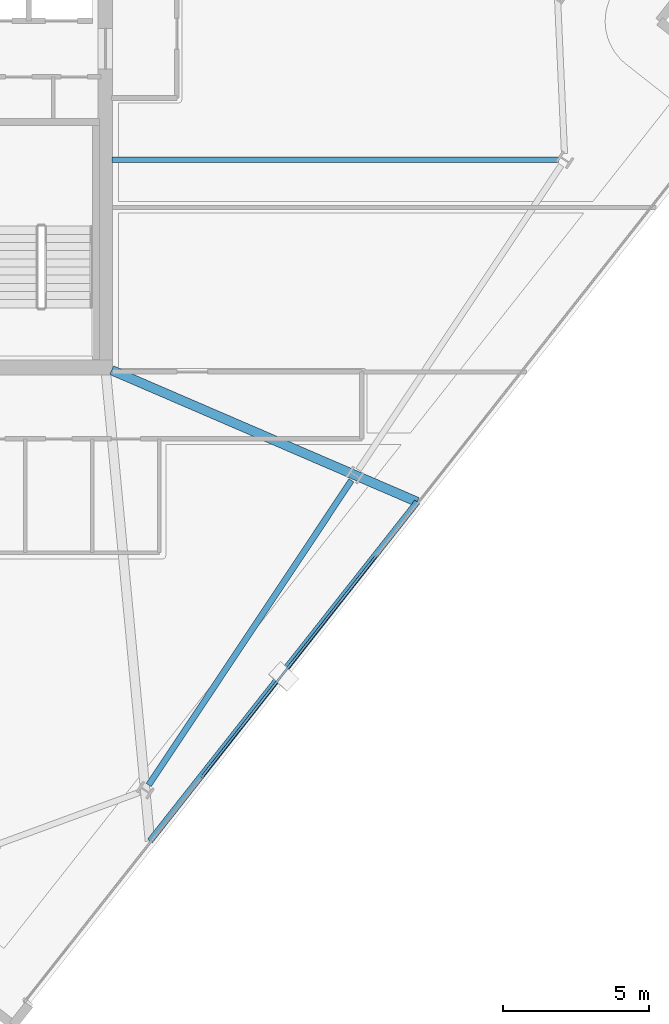
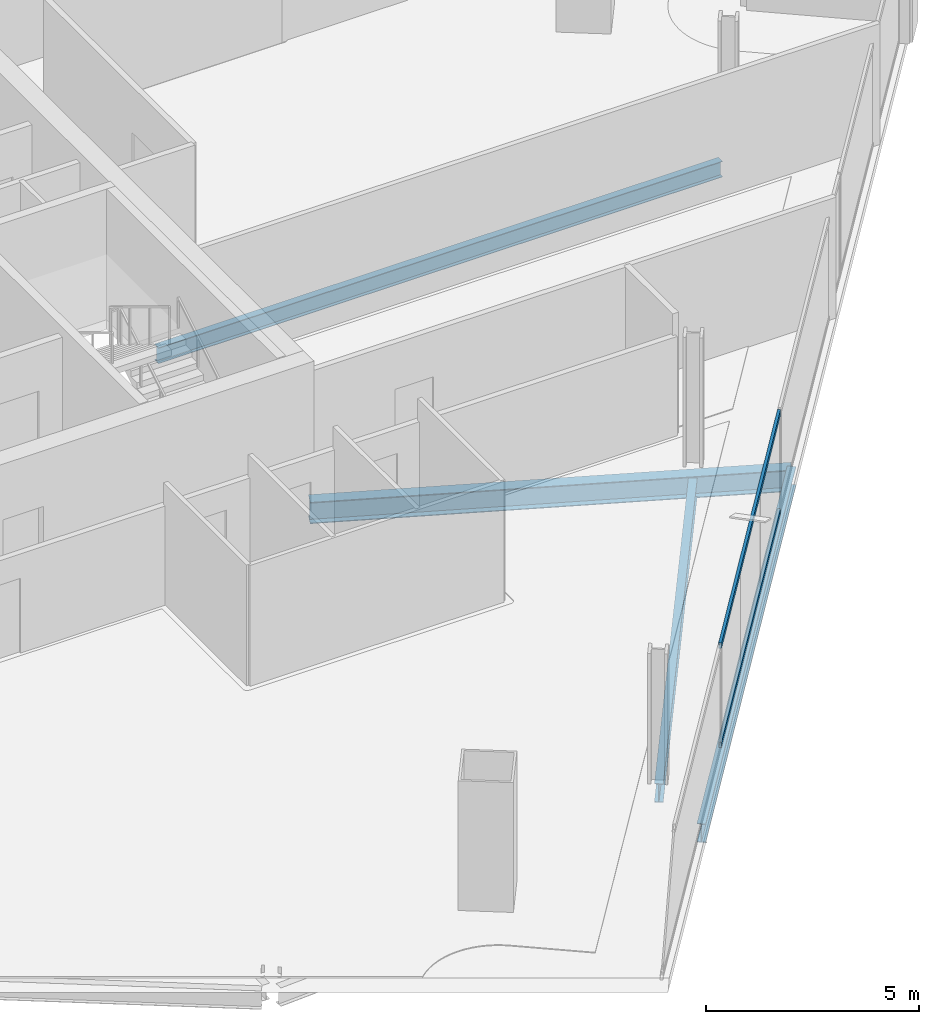
# One storey, part 10 of 28: 4 beams, 2 members, 1 element without a shape of its own.
"""IFC4 building model written with IfcOpenShell, lengths in metres."""

import ifcopenshell
import ifcopenshell.guid

model = None  # the IFC model being written
_history = None  # IfcOwnerHistory: only IFC2X3 demands one
_inside = {}  # id of a spatial element -> (the spatial element, [elements in it])
_under = {}  # id of a project, library or spatial element -> (it, [spatial elements below it])
_declared = {}  # id of a project -> (the project, [libraries it declares])
_typed = {}  # id of a type object -> (the type object, [elements of that type])
_made_of = {}  # id of a material, layer set ... -> (it, [elements and type objects made of it])


def new_model(schema):
    """Start an empty IFC model of exactly this schema.

    Asked for "IFC4X3", IfcOpenShell would pick the latest addendum, in which some entities
    have other attributes; the version numbers below select the first issue.
    IFC2X3 requires an IfcOwnerHistory on every rooted entity: one is made here for all.
    """
    global model, _history
    if schema == "IFC4X3":
        model = ifcopenshell.file(schema_version=(4, 3, 0, 0))
    else:
        model = ifcopenshell.file(schema=schema)
    _inside.clear()
    _under.clear()
    _declared.clear()
    _typed.clear()
    _made_of.clear()
    _history = None
    if model.schema == "IFC2X3":
        org = make("IfcOrganization", Name="unknown")
        user = make(
            "IfcPersonAndOrganization",
            ThePerson=make("IfcPerson", FamilyName="unknown"),
            TheOrganization=org,
        )
        app = make(
            "IfcApplication",
            ApplicationDeveloper=org,
            Version="unknown",
            ApplicationFullName="unknown",
            ApplicationIdentifier="unknown",
        )
        _history = make(
            "IfcOwnerHistory",
            OwningUser=user,
            OwningApplication=app,
            ChangeAction="ADDED",
            CreationDate=0,
        )
    return model


def make(cls, **values):
    """One entity of the class cls with the attributes given. An attribute that is None is left unset."""
    return model.create_entity(
        cls, **{name: value for name, value in values.items() if value is not None}
    )


def rooted(cls, **values):
    """An entity with a GlobalId (a new one), such as an element, a storey or a relation."""
    return make(cls, GlobalId=ifcopenshell.guid.new(), OwnerHistory=_history, **values)


def si_unit(unit_type, name, prefix=None):
    """IfcSIUnit, for example si_unit("LENGTHUNIT", "METRE", prefix="MILLI")."""
    return make("IfcSIUnit", UnitType=unit_type, Prefix=prefix, Name=name)


def assignment(units):
    """IfcUnitAssignment: the units of a project."""
    return None if units is None else make("IfcUnitAssignment", Units=units)


def point(xyz):
    """IfcCartesianPoint."""
    return None if xyz is None else make("IfcCartesianPoint", Coordinates=xyz)


def direction(xyz):
    """IfcDirection."""
    return None if xyz is None else make("IfcDirection", DirectionRatios=xyz)


def frame(location, z_axis=None, x_axis=None):
    """IfcAxis2Placement3D, a coordinate frame: its origin and axes. An axis left out is left unset."""
    return make(
        "IfcAxis2Placement3D",
        Location=point(location),
        Axis=direction(z_axis),
        RefDirection=direction(x_axis),
    )


def frame_2d(location, x_axis=None):
    """IfcAxis2Placement2D, a coordinate frame in the plane: its origin and x axis."""
    return make(
        "IfcAxis2Placement2D", Location=point(location), RefDirection=direction(x_axis)
    )


def origin():
    """The frame at (0, 0, 0) with its axes left unset."""
    return frame((0.0, 0.0, 0.0))


def origin_2d():
    """The frame at (0, 0) in the plane with its x axis left unset."""
    return frame_2d((0.0, 0.0))


def place(relative_to, where):
    """IfcLocalPlacement: puts the frame where relative to a parent placement (None: the world)."""
    return make(
        "IfcLocalPlacement", PlacementRelTo=relative_to, RelativePlacement=where
    )


def context(
    kind, dimensions, precision=None, world=None, true_north=None, identifier=None
):
    """IfcGeometricRepresentationContext, for example the 3D "Model" context."""
    return make(
        "IfcGeometricRepresentationContext",
        ContextIdentifier=identifier,
        ContextType=kind,
        CoordinateSpaceDimension=dimensions,
        Precision=precision,
        WorldCoordinateSystem=world,
        TrueNorth=true_north,
    )


def subcontext(parent, identifier, kind, view, scale=None):
    """IfcGeometricRepresentationSubContext, for example "Body" below "Model"."""
    return make(
        "IfcGeometricRepresentationSubContext",
        ContextIdentifier=identifier,
        ContextType=kind,
        ParentContext=parent,
        TargetScale=scale,
        TargetView=view,
    )


def project(units=None, contexts=None):
    """IfcProject with its units and contexts."""
    return rooted(
        "IfcProject",
        Name="project",
        RepresentationContexts=contexts,
        UnitsInContext=assignment(units),
    )


def spatial(cls, under=None, at=None, **own):
    """A site, building, storey or space (cls), placed at a placement, below another one or the project."""
    s = rooted(cls, ObjectPlacement=at, **own)
    if under is not None:
        _under.setdefault(under.id(), (under, []))[1].append(s)
    return s


def profile(cls, at=None, kind="AREA", **sizes):
    """A parametric profile (cls). Its sizes go by their IFC names, for example OverallWidth=200.0."""
    return make(cls, ProfileType=kind, Position=at, **sizes)


def hollow_rectangle(**sizes):
    """IfcRectangleHollowProfileDef."""
    return profile("IfcRectangleHollowProfileDef", **sizes)


def i_section(**sizes):
    """IfcIShapeProfileDef."""
    return profile("IfcIShapeProfileDef", **sizes)


def extrude(swept, where, along, depth):
    """IfcExtrudedAreaSolid: the profile swept, set in the frame where, extruded along a direction by depth."""
    return make(
        "IfcExtrudedAreaSolid",
        SweptArea=swept,
        Position=where,
        ExtrudedDirection=direction(along),
        Depth=depth,
    )


def shape(context_of_items, identifier, shape_type, items):
    """IfcShapeRepresentation: the items that make up one representation, for example the "Body"."""
    return make(
        "IfcShapeRepresentation",
        ContextOfItems=context_of_items,
        RepresentationIdentifier=identifier,
        RepresentationType=shape_type,
        Items=items,
    )


def material(Name=None, Category=None):
    """IfcMaterial."""
    return make("IfcMaterial", Name=Name, Category=Category)


def material_profile(
    of_material, cross_section, Name=None, Category=None, Priority=None
):
    """IfcMaterialProfile: a cross section and its material."""
    return make(
        "IfcMaterialProfile",
        Name=Name,
        Material=of_material,
        Profile=cross_section,
        Priority=Priority,
        Category=Category,
    )


def profile_set(profiles, Name=None, composite=None):
    """IfcMaterialProfileSet."""
    return make(
        "IfcMaterialProfileSet",
        Name=Name,
        MaterialProfiles=profiles,
        CompositeProfile=composite,
    )


def made_of(thing, what):
    """Note that an element or type object is made of a material, layer set ...; save() writes the relation."""
    if what is not None:
        _made_of.setdefault(what.id(), (what, []))[1].append(thing)
    return thing


def type_object(cls, material=None, **own):
    """A type object (cls), such as IfcWallType, which elements share."""
    return made_of(rooted(cls, **own), material)


def element(
    cls,
    number,
    at=None,
    inside=None,
    cuts=None,
    type_object=None,
    material=None,
    context=None,
    identifier="Body",
    shape_type=None,
    held_by="IfcProductDefinitionShape",
    body=None,
    shapes=None,
    **own,
):
    """One element of the class cls, such as IfcWall. Its Tag is "e" and its number.

    at: its placement. inside: the storey or other place that contains it. cuts: it is an
    opening in that element (IfcRelVoidsElement). A single representation is given by context,
    identifier, shape_type and body (its items); several are given by shapes. held_by: the class
    of the entity that holds the representations. save() writes the other relations.
    """
    e = rooted(cls, Tag="e%d" % number, ObjectPlacement=at, **own)
    if body is not None:
        shapes = [shape(context, identifier, shape_type, body)]
    if shapes is not None:
        e.Representation = make(held_by, Representations=shapes)
    if inside is not None:
        _inside.setdefault(inside.id(), (inside, []))[1].append(e)
    if cuts is not None:
        rooted(
            "IfcRelVoidsElement", RelatingBuildingElement=cuts, RelatedOpeningElement=e
        )
    if type_object is not None:
        _typed.setdefault(type_object.id(), (type_object, []))[1].append(e)
    return made_of(e, material)


def aggregate(whole, parts):
    """IfcRelAggregates: a whole, such as a stair, and the parts it consists of."""
    return rooted("IfcRelAggregates", RelatingObject=whole, RelatedObjects=parts)


def save(model, path):
    """Write the relations noted so far, then the file.

    IfcRelAggregates (storeys below a building ...), IfcRelContainedInSpatialStructure (elements
    in a storey), IfcRelDefinesByType, IfcRelAssociatesMaterial and IfcRelDeclares: one each for
    every whole, place, type object, material and project.
    """
    for whole, parts in _under.values():
        aggregate(whole, parts)
    for where, things in _inside.values():
        rooted(
            "IfcRelContainedInSpatialStructure",
            RelatedElements=things,
            RelatingStructure=where,
        )
    for kind, things in _typed.values():
        rooted("IfcRelDefinesByType", RelatedObjects=things, RelatingType=kind)
    for what, things in _made_of.values():
        rooted("IfcRelAssociatesMaterial", RelatedObjects=things, RelatingMaterial=what)
    for by, libraries in _declared.values():
        rooted("IfcRelDeclares", RelatingContext=by, RelatedDefinitions=libraries)
    model.write(path)


model = new_model("IFC4")

# Units and contexts
model_context = context("Model", 3, precision=1e-05, world=origin(), true_north=direction((0.0, 1.0)))
body_context = subcontext(model_context, "Body", "Model", "MODEL_VIEW")
ifc_project = project(units=[si_unit("LENGTHUNIT", "METRE"), si_unit("AREAUNIT", "SQUARE_METRE"), si_unit("VOLUMEUNIT", "CUBIC_METRE"), si_unit("PLANEANGLEUNIT", "RADIAN"), si_unit("MASSUNIT", "GRAM", prefix="KILO")], contexts=[model_context])

# Site, building, storey
site_placement = place(None, origin())
site = spatial("IfcSite", under=ifc_project, at=site_placement, CompositionType="ELEMENT")
building_placement = place(site_placement, origin())
building = spatial("IfcBuilding", under=site, at=building_placement, Name="Haldenkirk Collegiate Tower", CompositionType="ELEMENT")
storey_placement = place(building_placement, frame((0.0, 0.0, 202.199951171875)))
storey = spatial("IfcBuildingStorey", under=building, at=storey_placement, Name="L50", CompositionType="ELEMENT", Elevation=202.199951171875)

# Beams
ifc_material_1 = material(Name="Steel ASTM A992 Grade 50", Category="steel")
ifc_material_profile_1 = material_profile(ifc_material_1, i_section(OverallWidth=0.324951171875, OverallDepth=0.615966796875, WebThickness=0.013916015625, FlangeThickness=0.021484375, at=origin_2d()), Name="W24X117")
ifc_profile_set_1 = profile_set([ifc_material_profile_1], Name="Steel ASTM A992 Grade 50")
beam_type_1 = type_object("IfcBeamType", Name="BM-GIRDER-W24X117", PredefinedType="BEAM", material=ifc_profile_set_1)
beam_1_placement = place(storey_placement, frame((55.700927734375, 13.38720703125, -0.587890625), z_axis=(-0.918314977523, 0.395850479419, 0.0), x_axis=(-0.395850479419, -0.918314977523, 0.0)))
element("IfcBeam", 1, at=beam_1_placement, inside=storey, type_object=beam_type_1, Name="L50 primary floor girder 06", PredefinedType="BEAM", context=body_context, shape_type="SweptSolid", body=[
    extrude(i_section(OverallWidth=0.324951171875, OverallDepth=0.615966796875, WebThickness=0.013916015625, FlangeThickness=0.021484375, at=origin_2d()), origin(), (0.0, 0.0, 1.0), 11.4228515625),
])
ifc_material_profile_2 = material_profile(ifc_material_1, i_section(OverallWidth=0.18994140625, OverallDepth=0.45703125, WebThickness=0.009033203125, FlangeThickness=0.014404296875, at=origin_2d()), Name="W18X50")
ifc_profile_set_2 = profile_set([ifc_material_profile_2], Name="Steel ASTM A992 Grade 50")
beam_type_2 = type_object("IfcBeamType", Name="BM-JOIST-W18X50", PredefinedType="JOIST", material=ifc_profile_set_2)
beam_2_placement = place(storey_placement, frame((60.548828125, 25.12646484375, -0.508544921875), z_axis=(-1.0, 0.0, 0.0), x_axis=(0.0, -1.0, 0.0)))
element("IfcBeam", 2, at=beam_2_placement, inside=storey, type_object=beam_type_2, Name="L50 composite floor joist 07", PredefinedType="JOIST", context=body_context, shape_type="SweptSolid", body=[
    extrude(i_section(OverallWidth=0.18994140625, OverallDepth=0.45703125, WebThickness=0.009033203125, FlangeThickness=0.014404296875, at=origin_2d()), origin(), (0.0, 0.0, 1.0), 15.31884765625),
])
ifc_material_profile_3 = material_profile(ifc_material_1, i_section(OverallWidth=0.2099609375, OverallDepth=0.537109375, WebThickness=0.010986328125, FlangeThickness=0.017333984375, at=origin_2d()), Name="W21X68")
ifc_profile_set_3 = profile_set([ifc_material_profile_3], Name="Steel ASTM A992 Grade 50")
beam_type_3 = type_object("IfcBeamType", Name="BM-SPANDREL-W21X68", PredefinedType="SPANDREL", material=ifc_profile_set_3)
beam_3_placement = place(storey_placement, frame((46.4833984375, 3.67041015625, -0.54833984375), z_axis=(0.554112521622, 0.832441777773, 0.0), x_axis=(-0.832441777773, 0.554112521622, 0.0)))
element("IfcBeam", 3, at=beam_3_placement, inside=storey, type_object=beam_type_3, Name="L50 perimeter spandrel beam 02", PredefinedType="SPANDREL", context=body_context, shape_type="SweptSolid", body=[
    extrude(i_section(OverallWidth=0.2099609375, OverallDepth=0.537109375, WebThickness=0.010986328125, FlangeThickness=0.017333984375, at=origin_2d()), origin(), (0.0, 0.0, 1.0), 12.561767578125),
])
beam_4_placement = place(storey_placement, frame((46.526611328125, 1.74951171875, -0.54833984375), z_axis=(0.619089670118, 0.785320304305, 0.0), x_axis=(-0.785320304305, 0.619089670118, 0.0)))
element("IfcBeam", 4, at=beam_4_placement, inside=storey, type_object=beam_type_3, Name="L50 outer facade edge beam 1", PredefinedType="SPANDREL", context=body_context, shape_type="SweptSolid", body=[
    extrude(i_section(OverallWidth=0.2099609375, OverallDepth=0.537109375, WebThickness=0.010986328125, FlangeThickness=0.017333984375, at=origin_2d()), origin(), (0.0, 0.0, 1.0), 14.819091796875),
])

# Curtain wall, members
ifc_material_2 = material(Name="Anodised architectural bronze aluminium", Category="aluminium")
curtain_wall_type = type_object("IfcCurtainWallType", Name="CW-SYS2-CONCAVE", PredefinedType="USERDEFINED", material=ifc_material_2)
curtain_wall_placement = place(storey_placement, origin())
curtain_wall = element("IfcCurtainWall", 5, at=curtain_wall_placement, inside=storey, type_object=curtain_wall_type, Name="L50 South concave recessed bronze-anodised curtain wall", ObjectType="UNITISED CURTAIN WALL", PredefinedType="USERDEFINED")
ifc_material_profile_4 = material_profile(ifc_material_2, hollow_rectangle(XDim=0.074951171875, YDim=0.159912109375, WallThickness=0.0048828125, at=origin_2d()), Name="CW-TRN-02")
ifc_profile_set_4 = profile_set([ifc_material_profile_4], Name="Anodised architectural bronze aluminium")
member_type = type_object("IfcMemberType", Name="CW-TRN-02", PredefinedType="USERDEFINED", material=ifc_profile_set_4)
member_1_placement = place(storey_placement, frame((54.290283203125, 11.533203125, 0.03759765625), z_axis=(-0.619096778873, -0.785314700225, 0.0), x_axis=(0.785314700225, -0.619096778873, 0.0)))
member_1 = element("IfcMember", 6, at=member_1_placement, type_object=member_type, Name="CW-02 transom 3.1", ObjectType="TRANSOM", PredefinedType="USERDEFINED", context=body_context, shape_type="SweptSolid", body=[
    extrude(hollow_rectangle(XDim=0.074951171875, YDim=0.159912109375, WallThickness=0.0048828125, at=origin_2d()), origin(), (0.0, 0.0, 1.0), 9.675048828125),
])
member_2_placement = place(storey_placement, frame((54.290283203125, 11.533203125, 2.890625), z_axis=(-0.619096778873, -0.785314700225, 0.0), x_axis=(0.785314700225, -0.619096778873, 0.0)))
member_2 = element("IfcMember", 7, at=member_2_placement, type_object=member_type, Name="CW-02 transom 3.2", ObjectType="TRANSOM", PredefinedType="USERDEFINED", context=body_context, shape_type="SweptSolid", body=[
    extrude(hollow_rectangle(XDim=0.074951171875, YDim=0.159912109375, WallThickness=0.0048828125, at=origin_2d()), origin(), (0.0, 0.0, 1.0), 9.675048828125),
])
aggregate(curtain_wall, [member_1, member_2])

save(model, "model.ifc")
